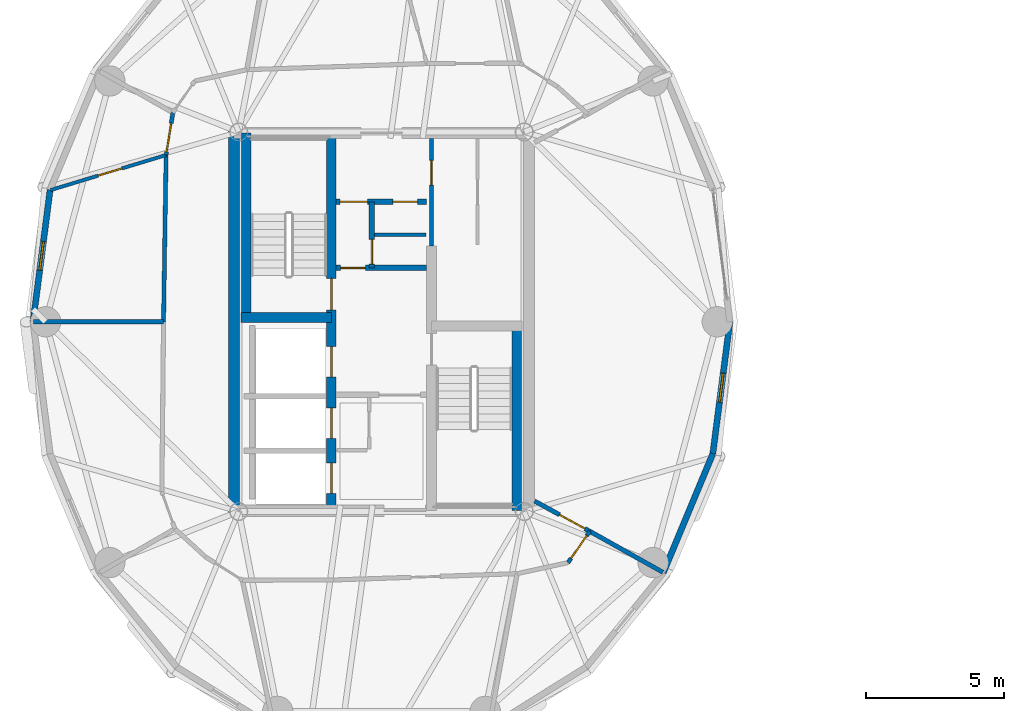
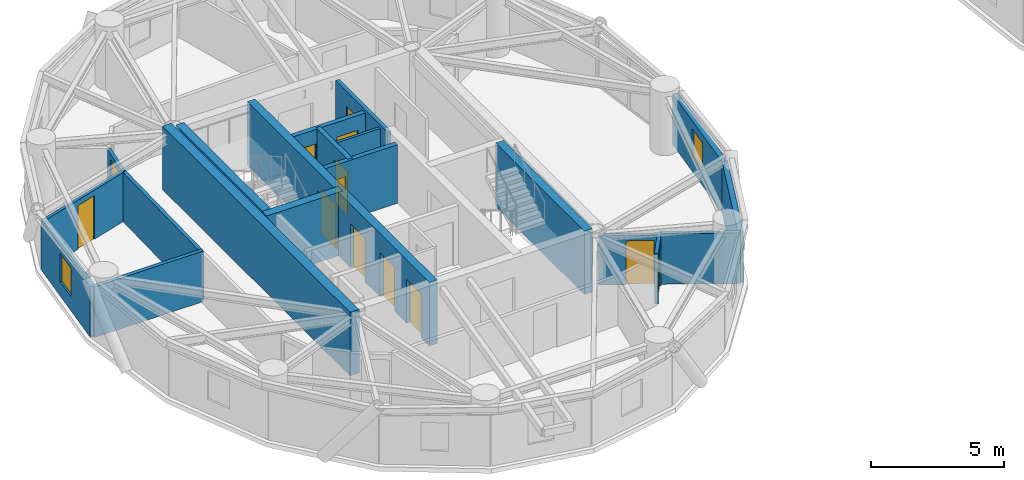
# One storey, part 9 of 16: 20 walls, 13 doors, 2 windows, 15 openings.
"""IFC4 building model written with IfcOpenShell, lengths in metres."""

from ifc_helpers import new_model, si_unit, direction, frame, frame_2d, origin, place, context, subcontext, project, spatial, rectangle, extrude, source, transform, mapped, material, layer, layer_set, type_object, element, fill, save


model = new_model("IFC4")

# Units and contexts
model_context = context("Model", 3, precision=1e-05, world=origin(), true_north=direction((0.0, 1.0)))
body_context = subcontext(model_context, "Body", "Model", "MODEL_VIEW")
ifc_project = project(units=[si_unit("LENGTHUNIT", "METRE"), si_unit("AREAUNIT", "SQUARE_METRE"), si_unit("VOLUMEUNIT", "CUBIC_METRE"), si_unit("PLANEANGLEUNIT", "RADIAN"), si_unit("MASSUNIT", "GRAM", prefix="KILO")], contexts=[model_context])

# Site, building, storey
site_placement = place(None, origin())
site = spatial("IfcSite", under=ifc_project, at=site_placement, CompositionType="ELEMENT")
building_placement = place(site_placement, origin())
building = spatial("IfcBuilding", under=site, at=building_placement, Name="Cununo Teusaquillo Station Towers", CompositionType="ELEMENT")
storey_placement = place(building_placement, frame((0.0, 0.0, 211.2099609375)))
storey = spatial("IfcBuildingStorey", under=building, at=storey_placement, Name="L67", CompositionType="ELEMENT", Elevation=211.2099609375)

# Wall, openings, doors
ifc_material_1 = material(Name="Concrete C50/60", Category="concrete")
ifc_layer_1 = layer(ifc_material_1, 0.35009765625)
ifc_layer_set_1 = layer_set([ifc_layer_1], Name="Concrete C50/60")
wall_type_1 = type_object("IfcWallType", Name="WL-CORE-350", PredefinedType="SHEAR", material=ifc_layer_set_1)
wall_1_placement = place(storey_placement, frame((14.68505859375, 17.64990234375, 0.0), z_axis=(0.0, 0.0, 1.0), x_axis=(0.0, 1.0, 0.0)))
wall_1 = element("IfcWall", 1, at=wall_1_placement, inside=storey, type_object=wall_type_1, Name="L67 Tower A Core Shear Wall IW", PredefinedType="SHEAR", context=body_context, shape_type="SweptSolid", body=[
    extrude(rectangle(XDim=13.7001953125, YDim=0.35009765625, at=frame_2d((6.85009765625, 0.0))), origin(), (0.0, 0.0, 1.0), 2.91015625),
])
shared_shape_1 = source(origin(), body_context, "Body", "SweptSolid", [
    extrude(rectangle(XDim=1.10009765625, YDim=2.014892578125, at=frame_2d((0.550048828125, 1.00732421875))), frame((0.0, 0.18505859375, 0.0), z_axis=(0.0, -1.0, 0.0), x_axis=(1.0, 0.0, 0.0)), (0.0, 0.0, 1.0), 0.3701171875),
])
opening_1_placement = place(wall_1_placement, frame((4.85009765625, 0.0, 0.0)))
opening_1 = element("IfcOpeningElement", 2, at=opening_1_placement, cuts=wall_1, Name="Opening LD-01", PredefinedType="OPENING", context=body_context, shape_type="MappedRepresentation", body=[
    mapped(shared_shape_1, transform((0.0, 0.0, 0.0), x_axis=(1.0, 0.0, 0.0), y_axis=(0.0, 1.0, 0.0), z_axis=(0.0, 0.0, 1.0), scale=1.0)),
])
opening_2_placement = place(wall_1_placement, frame((0.625, 0.0, 0.0)))
opening_2 = element("IfcOpeningElement", 3, at=opening_2_placement, cuts=wall_1, Name="Opening LD-01", PredefinedType="OPENING", context=body_context, shape_type="MappedRepresentation", body=[
    mapped(shared_shape_1, transform((0.0, 0.0, 0.0), x_axis=(1.0, 0.0, 0.0), y_axis=(0.0, 1.0, 0.0), z_axis=(0.0, 0.0, 1.0), scale=1.0)),
])
opening_3_placement = place(wall_1_placement, frame((2.625, 0.0, 0.0)))
opening_3 = element("IfcOpeningElement", 4, at=opening_3_placement, cuts=wall_1, Name="Opening LD-01", PredefinedType="OPENING", context=body_context, shape_type="MappedRepresentation", body=[
    mapped(shared_shape_1, transform((0.0, 0.0, 0.0), x_axis=(1.0, 0.0, 0.0), y_axis=(0.0, 1.0, 0.0), z_axis=(0.0, 0.0, 1.0), scale=1.0)),
])
shared_shape_2 = source(origin(), body_context, "Body", "SweptSolid", [
    extrude(rectangle(XDim=1.14990234375, YDim=2.02001953125, at=frame_2d((0.574951171875, 1.010009765625))), frame((0.0, 0.18505859375, 0.0), z_axis=(0.0, -1.0, 0.0), x_axis=(1.0, 0.0, 0.0)), (0.0, 0.0, 1.0), 0.3701171875),
])
opening_4_placement = place(wall_1_placement, frame((7.27001953125, 0.0, 0.0)))
opening_4 = element("IfcOpeningElement", 5, at=opening_4_placement, cuts=wall_1, Name="Opening D-ST1", PredefinedType="OPENING", context=body_context, shape_type="MappedRepresentation", body=[
    mapped(shared_shape_2, transform((0.0, 0.0, 0.0), x_axis=(1.0, 0.0, 0.0), y_axis=(0.0, 1.0, 0.0), z_axis=(0.0, 0.0, 1.0), scale=1.0)),
])
ifc_material_2 = material(Name="Galvanised fire-rated hollow steel door assembly", Category="steel")
door_type_1 = type_object("IfcDoorType", Name="DR-LIFT-1100", OperationType="SLIDING_TO_LEFT", PredefinedType="DOOR", material=ifc_material_2)
shared_shape_3 = source(origin(), body_context, "Body", "SweptSolid", [
    extrude(rectangle(XDim=1.10009765625, YDim=2.014892578125, at=frame_2d((0.550048828125, 1.00732421875))), frame((0.0, 0.02490234375, 0.0), z_axis=(0.0, -1.0, 0.0), x_axis=(1.0, 0.0, 0.0)), (0.0, 0.0, 1.0), 0.050048828125),
])
door_1_placement = place(opening_1_placement, origin())
door_1 = element("IfcDoor", 6, at=door_1_placement, inside=storey, type_object=door_type_1, Name="L67 Lift FL-T1 Sliding Landing Door", OperationType="SLIDING_TO_RIGHT", OverallHeight=2.014892578125, OverallWidth=1.10009765625, PredefinedType="DOOR", context=body_context, shape_type="MappedRepresentation", body=[
    mapped(shared_shape_3, transform((0.0, 0.0, 0.0), x_axis=(1.0, 0.0, 0.0), y_axis=(0.0, 1.0, 0.0), z_axis=(0.0, 0.0, 1.0), scale=1.0)),
])
fill(opening_1, door_1)
door_2_placement = place(opening_2_placement, origin())
door_2 = element("IfcDoor", 7, at=door_2_placement, inside=storey, type_object=door_type_1, Name="L67 Lift PL-T1-H1 Sliding Landing Door", OperationType="SLIDING_TO_RIGHT", OverallHeight=2.014892578125, OverallWidth=1.10009765625, PredefinedType="DOOR", context=body_context, shape_type="MappedRepresentation", body=[
    mapped(shared_shape_3, transform((0.0, 0.0, 0.0), x_axis=(1.0, 0.0, 0.0), y_axis=(0.0, 1.0, 0.0), z_axis=(0.0, 0.0, 1.0), scale=1.0)),
])
fill(opening_2, door_2)
door_3_placement = place(opening_3_placement, origin())
door_3 = element("IfcDoor", 8, at=door_3_placement, inside=storey, type_object=door_type_1, Name="L67 Lift PL-T1-H2 Sliding Landing Door", OperationType="SLIDING_TO_LEFT", OverallHeight=2.014892578125, OverallWidth=1.10009765625, PredefinedType="DOOR", context=body_context, shape_type="MappedRepresentation", body=[
    mapped(shared_shape_3, transform((0.0, 0.0, 0.0), x_axis=(1.0, 0.0, 0.0), y_axis=(0.0, 1.0, 0.0), z_axis=(0.0, 0.0, 1.0), scale=1.0)),
])
fill(opening_3, door_3)
ifc_material_3 = material(Name="Galvanised fire-rated hollow steel door assembly", Category="steel")
door_type_2 = type_object("IfcDoorType", Name="DR-STAIR-1150", OperationType="NOTDEFINED", PredefinedType="DOOR", material=ifc_material_3)
shared_shape_4 = source(origin(), body_context, "Body", "SweptSolid", [
    extrude(rectangle(XDim=1.14990234375, YDim=2.02001953125, at=frame_2d((0.574951171875, 1.010009765625))), frame((0.0, 0.02490234375, 0.0), z_axis=(0.0, -1.0, 0.0), x_axis=(1.0, 0.0, 0.0)), (0.0, 0.0, 1.0), 0.050048828125),
])
door_4_placement = place(opening_4_placement, origin())
door_4 = element("IfcDoor", 9, at=door_4_placement, inside=storey, type_object=door_type_2, Name="L67 Tower A Exit Stair 1 Fire Door", OperationType="SINGLE_SWING_RIGHT", OverallHeight=2.02001953125, OverallWidth=1.14990234375, PredefinedType="DOOR", context=body_context, shape_type="MappedRepresentation", body=[
    mapped(shared_shape_4, transform((0.0, 0.0, 0.0), x_axis=(1.0, 0.0, 0.0), y_axis=(0.0, 1.0, 0.0), z_axis=(0.0, 0.0, 1.0), scale=1.0)),
])
fill(opening_4, door_4)

# Walls
wall_2_placement = place(storey_placement, frame((11.594970703125, 24.655029296875, 0.0), z_axis=(0.0, 0.0, 1.0), x_axis=(0.0, 1.0, 0.0)))
element("IfcWall", 10, at=wall_2_placement, inside=storey, type_object=wall_type_1, Name="L67 Tower A Core Shear Wall ST1W", PredefinedType="SHEAR", context=body_context, shape_type="SweptSolid", body=[
    extrude(rectangle(XDim=6.695068359375, YDim=0.35009765625, at=frame_2d((3.34765625, 0.0))), origin(), (0.0, 0.0, 1.0), 2.91015625),
])
wall_3_placement = place(storey_placement, frame((11.39990234375, 24.655029296875, 0.0), z_axis=(0.0, 0.0, 1.0), x_axis=(1.0, 0.0, 0.0)))
element("IfcWall", 11, at=wall_3_placement, inside=storey, type_object=wall_type_1, Name="L67 Tower A Core Shear Wall ST1S", PredefinedType="SHEAR", context=body_context, shape_type="SweptSolid", body=[
    extrude(rectangle(XDim=3.28515625, YDim=0.35009765625, at=frame_2d((1.642578125, 0.0))), origin(), (0.0, 0.0, 1.0), 2.91015625),
])
wall_4_placement = place(storey_placement, frame((21.405029296875, 17.64990234375, 0.0), z_axis=(0.0, 0.0, 1.0), x_axis=(0.0, 1.0, 0.0)))
element("IfcWall", 12, at=wall_4_placement, inside=storey, type_object=wall_type_1, Name="L67 Tower A Core Shear Wall ST2E", PredefinedType="SHEAR", context=body_context, shape_type="SweptSolid", body=[
    extrude(rectangle(XDim=6.695068359375, YDim=0.35009765625, at=frame_2d((3.34765625, 0.0))), origin(), (0.0, 0.0, 1.0), 2.91015625),
])
ifc_material_4 = material(Name="Concrete C50/60", Category="concrete")
ifc_layer_2 = layer(ifc_material_4, 0.39990234375)
ifc_layer_set_2 = layer_set([ifc_layer_2], Name="Concrete C50/60")
wall_type_2 = type_object("IfcWallType", Name="WL-CORE-400", PredefinedType="SHEAR", material=ifc_layer_set_2)
wall_5_placement = place(storey_placement, frame((11.14990234375, 17.449951171875, 0.0), z_axis=(0.0, 0.0, 1.0), x_axis=(0.0, 1.0, 0.0)))
element("IfcWall", 13, at=wall_5_placement, inside=storey, type_object=wall_type_2, Name="L67 Tower A Core Shear Wall W", PredefinedType="SHEAR", context=body_context, shape_type="SweptSolid", body=[
    extrude(rectangle(XDim=14.10009765625, YDim=0.39990234375, at=frame_2d((7.050048828125, 0.0))), origin(), (0.0, 0.0, 1.0), 2.91015625),
])

# Wall, opening, window
ifc_material_5 = material(Name="Precast concrete C40/50", Category="concrete")
ifc_layer_3 = layer(ifc_material_5, 0.219970703125)
ifc_layer_set_3 = layer_set([ifc_layer_3], Name="Precast concrete C40/50")
wall_type_3 = type_object("IfcWallType", Name="WL-EXT-220", PredefinedType="SOLIDWALL", material=ifc_layer_set_3)
wall_6_placement = place(storey_placement, frame((3.8701171875, 24.5, 0.0), z_axis=(0.0, 0.0, 1.0), x_axis=(0.128241318541, 0.991742993027, 0.0)))
wall_6 = element("IfcWall", 14, at=wall_6_placement, inside=storey, type_object=wall_type_3, Name="L67 Tower A Exterior Facade Wall C09", PredefinedType="SOLIDWALL", context=body_context, shape_type="SweptSolid", body=[
    extrude(rectangle(XDim=4.8203125, YDim=0.219970703125, at=frame_2d((2.41015625, 0.0))), origin(), (0.0, 0.0, 1.0), 2.322021484375),
])
shared_shape_5 = source(origin(), body_context, "Body", "SweptSolid", [
    extrude(rectangle(XDim=1.050048828125, YDim=1.300048828125, at=frame_2d((0.52490234375, 0.64990234375))), frame((0.0, 0.119873046875, 0.0), z_axis=(0.0, -1.0, 0.0), x_axis=(1.0, 0.0, 0.0)), (0.0, 0.0, 1.0), 0.239990234375),
])
opening_5_placement = place(wall_6_placement, frame((1.885009765625, 0.0, 0.64990234375)))
opening_5 = element("IfcOpeningElement", 15, at=opening_5_placement, cuts=wall_6, Name="Opening WN-04", PredefinedType="OPENING", context=body_context, shape_type="MappedRepresentation", body=[
    mapped(shared_shape_5, transform((0.0, 0.0, 0.0), x_axis=(1.0, 0.0, 0.0), y_axis=(0.0, 1.0, 0.0), z_axis=(0.0, 0.0, 1.0), scale=1.0)),
])
ifc_material_6 = material(Name="Operable acoustic tinted low-E double glazing", Category="glass")
window_type = type_object("IfcWindowType", Name="WIN-BAL-1050", PartitioningType="SINGLE_PANEL", PredefinedType="WINDOW", material=ifc_material_6)
shared_shape_6 = source(origin(), body_context, "Body", "SweptSolid", [
    extrude(rectangle(XDim=1.050048828125, YDim=1.300048828125, at=frame_2d((0.52490234375, 0.64990234375))), frame((0.0, 0.030029296875, 0.0), z_axis=(0.0, -1.0, 0.0), x_axis=(1.0, 0.0, 0.0)), (0.0, 0.0, 1.0), 0.06005859375),
])
window_1_placement = place(opening_5_placement, origin())
window_1 = element("IfcWindow", 16, at=window_1_placement, inside=storey, type_object=window_type, Name="L67 Tower A Facade Window C09", OverallHeight=1.300048828125, OverallWidth=1.050048828125, PartitioningType="SINGLE_PANEL", PredefinedType="WINDOW", context=body_context, shape_type="MappedRepresentation", body=[
    mapped(shared_shape_6, transform((0.0, 0.0, 0.0), x_axis=(1.0, 0.0, 0.0), y_axis=(0.0, 1.0, 0.0), z_axis=(0.0, 0.0, 1.0), scale=1.0)),
])
fill(opening_5, window_1)

# Wall
wall_7_placement = place(storey_placement, frame((28.51171875, 19.719482421875, 0.0), z_axis=(0.0, 0.0, 1.0), x_axis=(-0.384036305194, -0.923317993052, 0.0)))
element("IfcWall", 17, at=wall_7_placement, inside=storey, type_object=wall_type_3, Name="L67 Tower A Exterior Facade Wall C18", PredefinedType="SOLIDWALL", context=body_context, shape_type="SweptSolid", body=[
    extrude(rectangle(XDim=4.670654296875, YDim=0.219970703125, at=frame_2d((2.33544921875, 0.0))), origin(), (0.0, 0.0, 1.0), 2.322021484375),
])

# Wall, opening, window
wall_8_placement = place(storey_placement, frame((29.1298828125, 24.5, 0.0), z_axis=(0.0, 0.0, 1.0), x_axis=(-0.128241318541, -0.991742993027, 0.0)))
wall_8 = element("IfcWall", 18, at=wall_8_placement, inside=storey, type_object=wall_type_3, Name="L67 Tower A Exterior Facade Wall C19", PredefinedType="SOLIDWALL", context=body_context, shape_type="SweptSolid", body=[
    extrude(rectangle(XDim=4.8203125, YDim=0.219970703125, at=frame_2d((2.41015625, 0.0))), origin(), (0.0, 0.0, 1.0), 2.322021484375),
])
opening_6_placement = place(wall_8_placement, frame((1.885009765625, 0.0, 0.64990234375)))
opening_6 = element("IfcOpeningElement", 19, at=opening_6_placement, cuts=wall_8, Name="Opening WN-04", PredefinedType="OPENING", context=body_context, shape_type="MappedRepresentation", body=[
    mapped(shared_shape_5, transform((0.0, 0.0, 0.0), x_axis=(1.0, 0.0, 0.0), y_axis=(0.0, 1.0, 0.0), z_axis=(0.0, 0.0, 1.0), scale=1.0)),
])
window_2_placement = place(opening_6_placement, origin())
window_2 = element("IfcWindow", 20, at=window_2_placement, inside=storey, type_object=window_type, Name="L67 Tower A Facade Window C19", OverallHeight=1.300048828125, OverallWidth=1.050048828125, PartitioningType="SINGLE_PANEL", PredefinedType="WINDOW", context=body_context, shape_type="MappedRepresentation", body=[
    mapped(shared_shape_6, transform((0.0, 0.0, 0.0), x_axis=(1.0, 0.0, 0.0), y_axis=(0.0, 1.0, 0.0), z_axis=(0.0, 0.0, 1.0), scale=1.0)),
])
fill(opening_6, window_2)

# Wall
ifc_material_7 = material(Name="Fire-rated gypsum plasterboard partition assembly", Category="gypsum")
ifc_layer_4 = layer(ifc_material_7, 0.125)
ifc_layer_set_4 = layer_set([ifc_layer_4], Name="Fire-rated gypsum plasterboard partition assembly")
wall_type_4 = type_object("IfcWallType", Name="WL-PART-125", PredefinedType="PARTITIONING", material=ifc_layer_set_4)
wall_9_placement = place(storey_placement, frame((16.239990234375, 27.64990234375, 0.0), z_axis=(0.0, 0.0, 1.0), x_axis=(1.0, 0.0, 0.0)))
element("IfcWall", 21, at=wall_9_placement, inside=storey, type_object=wall_type_4, Name="L67 Tower A Core Horizontal Split Wall", PredefinedType="PARTITIONING", context=body_context, shape_type="SweptSolid", body=[
    extrude(rectangle(XDim=1.880126953125, YDim=0.125, at=frame_2d((0.93994140625, 0.0))), origin(), (0.0, 0.0, 1.0), 2.68505859375),
])

# Wall, opening, door
wall_10_placement = place(storey_placement, frame((8.692626953125, 30.544189453125, 0.0), z_axis=(0.0, 0.0, 1.0), x_axis=(-0.956933754187, -0.290306372814, 0.0)))
wall_10 = element("IfcWall", 22, at=wall_10_placement, inside=storey, type_object=wall_type_4, Name="L67 Tower A Visiting Envoy Briefing Room Suite Subdividing Wall", PredefinedType="PARTITIONING", context=body_context, shape_type="SweptSolid", body=[
    extrude(rectangle(XDim=4.3740234375, YDim=0.125, at=frame_2d((2.18701171875, 0.0))), origin(), (0.0, 0.0, 1.0), 2.255126953125),
])
shared_shape_7 = source(origin(), body_context, "Body", "SweptSolid", [
    extrude(rectangle(XDim=0.89990234375, YDim=2.0048828125, at=frame_2d((0.449951171875, 1.00244140625))), frame((0.0, 0.072509765625, 0.0), z_axis=(0.0, -1.0, 0.0), x_axis=(1.0, 0.0, 0.0)), (0.0, 0.0, 1.0), 0.14501953125),
])
opening_7_placement = place(wall_10_placement, frame((1.673828125, 0.0, 0.0)))
opening_7 = element("IfcOpeningElement", 23, at=opening_7_placement, cuts=wall_10, Name="Opening D-IN1", PredefinedType="OPENING", context=body_context, shape_type="MappedRepresentation", body=[
    mapped(shared_shape_7, transform((0.0, 0.0, 0.0), x_axis=(1.0, 0.0, 0.0), y_axis=(0.0, 1.0, 0.0), z_axis=(0.0, 0.0, 1.0), scale=1.0)),
])
ifc_material_8 = material(Name="Acoustic solid-core hardwood leaf assembly", Category="wood")
door_type_3 = type_object("IfcDoorType", Name="DR-INT-900", OperationType="NOTDEFINED", PredefinedType="DOOR", material=ifc_material_8)
shared_shape_8 = source(origin(), body_context, "Body", "SweptSolid", [
    extrude(rectangle(XDim=0.89990234375, YDim=2.0048828125, at=frame_2d((0.449951171875, 1.00244140625))), frame((0.0, 0.02490234375, 0.0), z_axis=(0.0, -1.0, 0.0), x_axis=(1.0, 0.0, 0.0)), (0.0, 0.0, 1.0), 0.050048828125),
])
door_5_placement = place(opening_7_placement, origin())
door_5 = element("IfcDoor", 24, at=door_5_placement, inside=storey, type_object=door_type_3, Name="L67 Tower A Visiting Envoy Briefing Room Suite Connecting Door", OperationType="SINGLE_SWING_RIGHT", OverallHeight=2.0048828125, OverallWidth=0.89990234375, PredefinedType="DOOR", context=body_context, shape_type="MappedRepresentation", body=[
    mapped(shared_shape_8, transform((0.0, 0.0, 0.0), x_axis=(1.0, 0.0, 0.0), y_axis=(0.0, 1.0, 0.0), z_axis=(0.0, 0.0, 1.0), scale=1.0)),
])
fill(opening_7, door_5)

ifc_material_9 = material(Name="Fire-rated gypsum plasterboard partition assembly", Category="gypsum")
ifc_layer_5 = layer(ifc_material_9, 0.14990234375)
ifc_layer_set_5 = layer_set([ifc_layer_5], Name="Fire-rated gypsum plasterboard partition assembly")
wall_type_5 = type_object("IfcWallType", Name="WL-PART-150", PredefinedType="PARTITIONING", material=ifc_layer_set_5)
wall_11_placement = place(storey_placement, frame((8.93994140625, 32.078369140625, 0.0), z_axis=(0.0, 0.0, 1.0), x_axis=(-0.159148467753, -0.98725466077, 0.0)))
wall_11 = element("IfcWall", 25, at=wall_11_placement, inside=storey, type_object=wall_type_5, Name="L67 Tower A Corridor Ring Wall C08", PredefinedType="PARTITIONING", context=body_context, shape_type="SweptSolid", body=[
    extrude(rectangle(XDim=1.553955078125, YDim=0.14990234375, at=frame_2d((0.77685546875, 0.0))), origin(), (0.0, 0.0, 1.0), 2.255126953125),
])
shared_shape_9 = source(origin(), body_context, "Body", "SweptSolid", [
    extrude(rectangle(XDim=1.050048828125, YDim=2.014892578125, at=frame_2d((0.52490234375, 1.00732421875))), frame((0.0, 0.0849609375, 0.0), z_axis=(0.0, -1.0, 0.0), x_axis=(1.0, 0.0, 0.0)), (0.0, 0.0, 1.0), 0.169921875),
])
opening_8_placement = place(wall_11_placement, frame((0.384033203125, 0.0, 0.0)))
opening_8 = element("IfcOpeningElement", 26, at=opening_8_placement, cuts=wall_11, Name="Opening D-SU1", PredefinedType="OPENING", context=body_context, shape_type="MappedRepresentation", body=[
    mapped(shared_shape_9, transform((0.0, 0.0, 0.0), x_axis=(1.0, 0.0, 0.0), y_axis=(0.0, 1.0, 0.0), z_axis=(0.0, 0.0, 1.0), scale=1.0)),
])
ifc_material_10 = material(Name="Acoustic solid-core hardwood leaf assembly", Category="wood")
door_type_4 = type_object("IfcDoorType", Name="DR-SUITE-1050", OperationType="NOTDEFINED", PredefinedType="DOOR", material=ifc_material_10)
shared_shape_10 = source(origin(), body_context, "Body", "SweptSolid", [
    extrude(rectangle(XDim=1.050048828125, YDim=2.014892578125, at=frame_2d((0.52490234375, 1.00732421875))), frame((0.0, 0.02490234375, 0.0), z_axis=(0.0, -1.0, 0.0), x_axis=(1.0, 0.0, 0.0)), (0.0, 0.0, 1.0), 0.050048828125),
])
door_6_placement = place(opening_8_placement, origin())
door_6 = element("IfcDoor", 27, at=door_6_placement, inside=storey, type_object=door_type_4, Name="L67 Tower A Visiting Envoy Briefing Room Entrance Door", OperationType="SINGLE_SWING_LEFT", OverallHeight=2.014892578125, OverallWidth=1.050048828125, PredefinedType="DOOR", context=body_context, shape_type="MappedRepresentation", body=[
    mapped(shared_shape_10, transform((0.0, 0.0, 0.0), x_axis=(1.0, 0.0, 0.0), y_axis=(0.0, 1.0, 0.0), z_axis=(0.0, 0.0, 1.0), scale=1.0)),
])
fill(opening_8, door_6)

# Wall
wall_12_placement = place(storey_placement, frame((8.692626953125, 30.544189453125, 0.0), z_axis=(0.0, 0.0, 1.0), x_axis=(-0.015307007986, -0.99988284089, 0.0)))
element("IfcWall", 28, at=wall_12_placement, inside=storey, type_object=wall_type_5, Name="L67 Tower A Corridor Ring Wall C09", PredefinedType="PARTITIONING", context=body_context, shape_type="SweptSolid", body=[
    extrude(rectangle(XDim=6.044921875, YDim=0.14990234375, at=frame_2d((3.0224609375, 0.0))), origin(), (0.0, 0.0, 1.0), 2.255126953125),
])

# Wall, opening, door
wall_13_placement = place(storey_placement, frame((23.263427734375, 15.77001953125, 0.0), z_axis=(0.0, 0.0, 1.0), x_axis=(0.570743456919, 0.821128434768, 0.0)))
wall_13 = element("IfcWall", 29, at=wall_13_placement, inside=storey, type_object=wall_type_5, Name="L67 Tower A Corridor Ring Wall C17", PredefinedType="PARTITIONING", context=body_context, shape_type="SweptSolid", body=[
    extrude(rectangle(XDim=1.381591796875, YDim=0.14990234375, at=frame_2d((0.69091796875, 0.0))), origin(), (0.0, 0.0, 1.0), 2.322021484375),
])
shared_shape_11 = source(origin(), body_context, "Body", "SweptSolid", [
    extrude(rectangle(XDim=1.0, YDim=2.014892578125, at=frame_2d((0.5, 1.00732421875))), frame((0.0, 0.0849609375, 0.0), z_axis=(0.0, -1.0, 0.0), x_axis=(1.0, 0.0, 0.0)), (0.0, 0.0, 1.0), 0.169921875),
])
opening_9_placement = place(wall_13_placement, frame((0.19091796875, 0.0, 0.0)))
opening_9 = element("IfcOpeningElement", 30, at=opening_9_placement, cuts=wall_13, Name="Opening D-AC1", PredefinedType="OPENING", context=body_context, shape_type="MappedRepresentation", body=[
    mapped(shared_shape_11, transform((0.0, 0.0, 0.0), x_axis=(1.0, 0.0, 0.0), y_axis=(0.0, 1.0, 0.0), z_axis=(0.0, 0.0, 1.0), scale=1.0)),
])
ifc_material_11 = material(Name="Acoustic solid-core hardwood leaf assembly", Category="wood")
door_type_5 = type_object("IfcDoorType", Name="DR-ACC-1000", OperationType="NOTDEFINED", PredefinedType="DOOR", material=ifc_material_11)
shared_shape_12 = source(origin(), body_context, "Body", "SweptSolid", [
    extrude(rectangle(XDim=1.0, YDim=2.014892578125, at=frame_2d((0.5, 1.00732421875))), frame((0.0, 0.02490234375, 0.0), z_axis=(0.0, -1.0, 0.0), x_axis=(1.0, 0.0, 0.0)), (0.0, 0.0, 1.0), 0.050048828125),
])
door_7_placement = place(opening_9_placement, origin())
door_7 = element("IfcDoor", 31, at=door_7_placement, inside=storey, type_object=door_type_5, Name="L67 Tower A Public Accessible Restroom WC Entrance Door", OperationType="SINGLE_SWING_RIGHT", OverallHeight=2.014892578125, OverallWidth=1.0, PredefinedType="DOOR", context=body_context, shape_type="MappedRepresentation", body=[
    mapped(shared_shape_12, transform((0.0, 0.0, 0.0), x_axis=(1.0, 0.0, 0.0), y_axis=(0.0, 1.0, 0.0), z_axis=(0.0, 0.0, 1.0), scale=1.0)),
])
fill(opening_9, door_7)

ifc_material_12 = material(Name="Fire-rated gypsum plasterboard partition assembly", Category="gypsum")
ifc_layer_6 = layer(ifc_material_12, 0.159912109375)
ifc_layer_set_6 = layer_set([ifc_layer_6], Name="Fire-rated gypsum plasterboard partition assembly")
wall_type_6 = type_object("IfcWallType", Name="WL-PART-160", PredefinedType="PARTITIONING", material=ifc_layer_set_6)
wall_14_placement = place(storey_placement, frame((18.31494140625, 27.25, 0.0), z_axis=(0.0, 0.0, 1.0), x_axis=(0.0, 1.0, 0.0)))
wall_14 = element("IfcWall", 32, at=wall_14_placement, inside=storey, type_object=wall_type_6, Name="L67 Tower A Reclaimed Core Bay Entry Wall", PredefinedType="PARTITIONING", context=body_context, shape_type="SweptSolid", body=[
    extrude(rectangle(XDim=3.89990234375, YDim=0.159912109375, at=frame_2d((1.949951171875, 0.0))), origin(), (0.0, 0.0, 1.0), 2.68505859375),
])
shared_shape_13 = source(origin(), body_context, "Body", "SweptSolid", [
    extrude(rectangle(XDim=0.89990234375, YDim=2.0048828125, at=frame_2d((0.449951171875, 1.00244140625))), frame((0.0, 0.08984375, 0.0), z_axis=(0.0, -1.0, 0.0), x_axis=(1.0, 0.0, 0.0)), (0.0, 0.0, 1.0), 0.179931640625),
])
opening_10_placement = place(wall_14_placement, frame((2.199951171875, 0.0, 0.0)))
opening_10 = element("IfcOpeningElement", 33, at=opening_10_placement, cuts=wall_14, Name="Opening D-IN1", PredefinedType="OPENING", context=body_context, shape_type="MappedRepresentation", body=[
    mapped(shared_shape_13, transform((0.0, 0.0, 0.0), x_axis=(1.0, 0.0, 0.0), y_axis=(0.0, 1.0, 0.0), z_axis=(0.0, 0.0, 1.0), scale=1.0)),
])
door_8_placement = place(opening_10_placement, origin())
door_8 = element("IfcDoor", 34, at=door_8_placement, inside=storey, type_object=door_type_3, Name="L67 Tower A Reclaimed Meeting Room Door", OperationType="SINGLE_SWING_LEFT", OverallHeight=2.0048828125, OverallWidth=0.89990234375, PredefinedType="DOOR", context=body_context, shape_type="MappedRepresentation", body=[
    mapped(shared_shape_8, transform((0.0, 0.0, 0.0), x_axis=(1.0, 0.0, 0.0), y_axis=(0.0, 1.0, 0.0), z_axis=(0.0, 0.0, 1.0), scale=1.0)),
])
fill(opening_10, door_8)

# Walls
wall_15_placement = place(storey_placement, frame((8.60009765625, 24.5, 0.0), z_axis=(0.0, 0.0, 1.0), x_axis=(-1.0, 0.0, 0.0)))
element("IfcWall", 35, at=wall_15_placement, inside=storey, type_object=wall_type_6, Name="L67 Tower A Radial Suite Partition R05", PredefinedType="PARTITIONING", context=body_context, shape_type="SweptSolid", body=[
    extrude(rectangle(XDim=4.710205078125, YDim=0.159912109375, at=frame_2d((2.35498046875, 0.0))), origin(), (0.0, 0.0, 1.0), 2.322021484375),
])
wall_16_placement = place(storey_placement, frame((24.052001953125, 16.904541015625, 0.0), z_axis=(0.0, 0.0, 1.0), x_axis=(0.872220814965, -0.489112308106, 0.0)))
element("IfcWall", 36, at=wall_16_placement, inside=storey, type_object=wall_type_6, Name="L67 Tower A Radial Suite Partition R09", PredefinedType="PARTITIONING", context=body_context, shape_type="SweptSolid", body=[
    extrude(rectangle(XDim=3.037841796875, YDim=0.159912109375, at=frame_2d((1.51904296875, 0.0))), origin(), (0.0, 0.0, 1.0), 2.322021484375),
])

# Wall, opening, door
wall_17_placement = place(storey_placement, frame((22.050048828125, 18.0, 0.0), z_axis=(0.0, 0.0, 1.0), x_axis=(0.877252891813, -0.480028503118, 0.0)))
wall_17 = element("IfcWall", 37, at=wall_17_placement, inside=storey, type_object=wall_type_6, Name="L67 Tower A East Salon Corridor Portal Wall SE", PredefinedType="PARTITIONING", context=body_context, shape_type="SweptSolid", body=[
    extrude(rectangle(XDim=2.281982421875, YDim=0.159912109375, at=frame_2d((1.14111328125, 0.0))), origin(), (0.0, 0.0, 1.0), 2.255126953125),
])
shared_shape_14 = source(origin(), body_context, "Body", "SweptSolid", [
    extrude(rectangle(XDim=1.050048828125, YDim=2.014892578125, at=frame_2d((0.52490234375, 1.00732421875))), frame((0.0, 0.08984375, 0.0), z_axis=(0.0, -1.0, 0.0), x_axis=(1.0, 0.0, 0.0)), (0.0, 0.0, 1.0), 0.179931640625),
])
opening_11_placement = place(wall_17_placement, frame((1.031982421875, 0.0, 0.0)))
opening_11 = element("IfcOpeningElement", 38, at=opening_11_placement, cuts=wall_17, Name="Opening D-SU1", PredefinedType="OPENING", context=body_context, shape_type="MappedRepresentation", body=[
    mapped(shared_shape_14, transform((0.0, 0.0, 0.0), x_axis=(1.0, 0.0, 0.0), y_axis=(0.0, 1.0, 0.0), z_axis=(0.0, 0.0, 1.0), scale=1.0)),
])
door_9_placement = place(opening_11_placement, origin())
door_9 = element("IfcDoor", 39, at=door_9_placement, inside=storey, type_object=door_type_4, Name="L67 Tower A East Panorama Sky Salon Door SE", OperationType="SINGLE_SWING_RIGHT", OverallHeight=2.014892578125, OverallWidth=1.050048828125, PredefinedType="DOOR", context=body_context, shape_type="MappedRepresentation", body=[
    mapped(shared_shape_10, transform((0.0, 0.0, 0.0), x_axis=(1.0, 0.0, 0.0), y_axis=(0.0, 1.0, 0.0), z_axis=(0.0, 0.0, 1.0), scale=1.0)),
])
fill(opening_11, door_9)

ifc_material_13 = material(Name="Fire-rated gypsum plasterboard partition assembly", Category="gypsum")
ifc_layer_7 = layer(ifc_material_13, 0.199951171875)
ifc_layer_set_7 = layer_set([ifc_layer_7], Name="Fire-rated gypsum plasterboard partition assembly")
wall_type_7 = type_object("IfcWallType", Name="WL-PART-200", PredefinedType="PARTITIONING", material=ifc_layer_set_7)
wall_18_placement = place(storey_placement, frame((14.860107421875, 26.449951171875, 0.0), z_axis=(0.0, 0.0, 1.0), x_axis=(1.0, 0.0, 0.0)))
wall_18 = element("IfcWall", 40, at=wall_18_placement, inside=storey, type_object=wall_type_7, Name="L67 Tower A Firefighting Lift Lobby North Fire Wall", PredefinedType="PARTITIONING", context=body_context, shape_type="SweptSolid", body=[
    extrude(rectangle(XDim=3.27978515625, YDim=0.199951171875, at=frame_2d((1.639892578125, 0.0))), origin(), (0.0, 0.0, 1.0), 2.68505859375),
])
shared_shape_15 = source(origin(), body_context, "Body", "SweptSolid", [
    extrude(rectangle(XDim=0.89990234375, YDim=2.0048828125, at=frame_2d((0.449951171875, 1.00244140625))), frame((0.0, 0.10986328125, 0.0), z_axis=(0.0, -1.0, 0.0), x_axis=(1.0, 0.0, 0.0)), (0.0, 0.0, 1.0), 0.219970703125),
])
opening_12_placement = place(wall_18_placement, frame((0.159912109375, 0.0, 0.0)))
opening_12 = element("IfcOpeningElement", 41, at=opening_12_placement, cuts=wall_18, Name="Opening D-SR1", PredefinedType="OPENING", context=body_context, shape_type="MappedRepresentation", body=[
    mapped(shared_shape_15, transform((0.0, 0.0, 0.0), x_axis=(1.0, 0.0, 0.0), y_axis=(0.0, 1.0, 0.0), z_axis=(0.0, 0.0, 1.0), scale=1.0)),
])
ifc_material_14 = material(Name="Galvanised fire-rated hollow steel door assembly", Category="steel")
door_type_6 = type_object("IfcDoorType", Name="DR-STORE-900", OperationType="NOTDEFINED", PredefinedType="DOOR", material=ifc_material_14)
door_10_placement = place(opening_12_placement, origin())
door_10 = element("IfcDoor", 42, at=door_10_placement, inside=storey, type_object=door_type_6, Name="L67 Tower A Stair 1 Protected Vestibule South Door", OperationType="SINGLE_SWING_RIGHT", OverallHeight=2.0048828125, OverallWidth=0.89990234375, PredefinedType="DOOR", context=body_context, shape_type="MappedRepresentation", body=[
    mapped(shared_shape_8, transform((0.0, 0.0, 0.0), x_axis=(1.0, 0.0, 0.0), y_axis=(0.0, 1.0, 0.0), z_axis=(0.0, 0.0, 1.0), scale=1.0)),
])
fill(opening_12, door_10)

wall_19_placement = place(storey_placement, frame((16.14990234375, 26.449951171875, 0.0), z_axis=(0.0, 0.0, 1.0), x_axis=(0.0, 1.0, 0.0)))
wall_19 = element("IfcWall", 43, at=wall_19_placement, inside=storey, type_object=wall_type_7, Name="L67 Tower A Stair 1 Vestibule Partition Wall", PredefinedType="PARTITIONING", context=body_context, shape_type="SweptSolid", body=[
    extrude(rectangle(XDim=2.400146484375, YDim=0.199951171875, at=frame_2d((1.2001953125, 0.0))), origin(), (0.0, 0.0, 1.0), 2.68505859375),
])
opening_13_placement = place(wall_19_placement, frame((0.139892578125, 0.0, 0.0)))
opening_13 = element("IfcOpeningElement", 44, at=opening_13_placement, cuts=wall_19, Name="Opening D-SR1", PredefinedType="OPENING", context=body_context, shape_type="MappedRepresentation", body=[
    mapped(shared_shape_15, transform((0.0, 0.0, 0.0), x_axis=(1.0, 0.0, 0.0), y_axis=(0.0, 1.0, 0.0), z_axis=(0.0, 0.0, 1.0), scale=1.0)),
])
door_11_placement = place(opening_13_placement, origin())
door_11 = element("IfcDoor", 45, at=door_11_placement, inside=storey, type_object=door_type_6, Name="L67 Tower A Core Linen Store Door", OperationType="SINGLE_SWING_LEFT", OverallHeight=2.0048828125, OverallWidth=0.89990234375, PredefinedType="DOOR", context=body_context, shape_type="MappedRepresentation", body=[
    mapped(shared_shape_8, transform((0.0, 0.0, 0.0), x_axis=(1.0, 0.0, 0.0), y_axis=(0.0, 1.0, 0.0), z_axis=(0.0, 0.0, 1.0), scale=1.0)),
])
fill(opening_13, door_11)

# Wall, openings, doors
wall_20_placement = place(storey_placement, frame((14.860107421875, 28.85009765625, 0.0), z_axis=(0.0, 0.0, 1.0), x_axis=(1.0, 0.0, 0.0)))
wall_20 = element("IfcWall", 46, at=wall_20_placement, inside=storey, type_object=wall_type_7, Name="L67 Tower A North Lift Lobby South Fire Wall", PredefinedType="PARTITIONING", context=body_context, shape_type="SweptSolid", body=[
    extrude(rectangle(XDim=3.27978515625, YDim=0.199951171875, at=frame_2d((1.639892578125, 0.0))), origin(), (0.0, 0.0, 1.0), 2.68505859375),
])
shared_shape_16 = source(origin(), body_context, "Body", "SweptSolid", [
    extrude(rectangle(XDim=1.0, YDim=2.014892578125, at=frame_2d((0.5, 1.00732421875))), frame((0.0, 0.10986328125, 0.0), z_axis=(0.0, -1.0, 0.0), x_axis=(1.0, 0.0, 0.0)), (0.0, 0.0, 1.0), 0.219970703125),
])
opening_14_placement = place(wall_20_placement, frame((0.139892578125, 0.0, 0.0)))
opening_14 = element("IfcOpeningElement", 47, at=opening_14_placement, cuts=wall_20, Name="Opening D-AC1", PredefinedType="OPENING", context=body_context, shape_type="MappedRepresentation", body=[
    mapped(shared_shape_16, transform((0.0, 0.0, 0.0), x_axis=(1.0, 0.0, 0.0), y_axis=(0.0, 1.0, 0.0), z_axis=(0.0, 0.0, 1.0), scale=1.0)),
])
opening_15_placement = place(wall_20_placement, frame((2.050048828125, 0.0, 0.0)))
opening_15 = element("IfcOpeningElement", 48, at=opening_15_placement, cuts=wall_20, Name="Opening D-SR1", PredefinedType="OPENING", context=body_context, shape_type="MappedRepresentation", body=[
    mapped(shared_shape_15, transform((0.0, 0.0, 0.0), x_axis=(1.0, 0.0, 0.0), y_axis=(0.0, 1.0, 0.0), z_axis=(0.0, 0.0, 1.0), scale=1.0)),
])
door_12_placement = place(opening_15_placement, origin())
door_12 = element("IfcDoor", 49, at=door_12_placement, inside=storey, type_object=door_type_6, Name="L67 Tower A Core Comms Room Door", OperationType="SINGLE_SWING_RIGHT", OverallHeight=2.0048828125, OverallWidth=0.89990234375, PredefinedType="DOOR", context=body_context, shape_type="MappedRepresentation", body=[
    mapped(shared_shape_8, transform((0.0, 0.0, 0.0), x_axis=(1.0, 0.0, 0.0), y_axis=(0.0, 1.0, 0.0), z_axis=(0.0, 0.0, 1.0), scale=1.0)),
])
fill(opening_15, door_12)
door_13_placement = place(opening_14_placement, origin())
door_13 = element("IfcDoor", 50, at=door_13_placement, inside=storey, type_object=door_type_5, Name="L67 Tower A North Lift Lobby to Stair 1 Vestibule Door", OperationType="SINGLE_SWING_LEFT", OverallHeight=2.014892578125, OverallWidth=1.0, PredefinedType="DOOR", context=body_context, shape_type="MappedRepresentation", body=[
    mapped(shared_shape_12, transform((0.0, 0.0, 0.0), x_axis=(1.0, 0.0, 0.0), y_axis=(0.0, 1.0, 0.0), z_axis=(0.0, 0.0, 1.0), scale=1.0)),
])
fill(opening_14, door_13)

save(model, "model.ifc")
